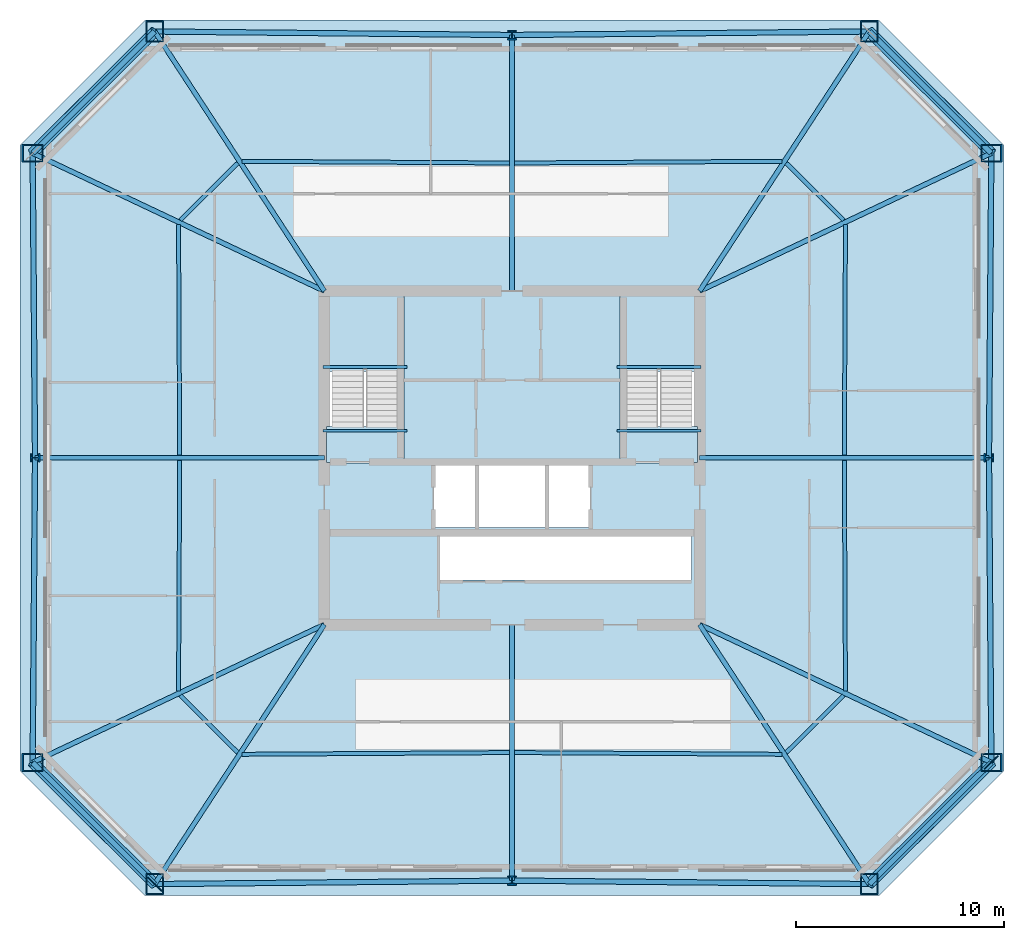
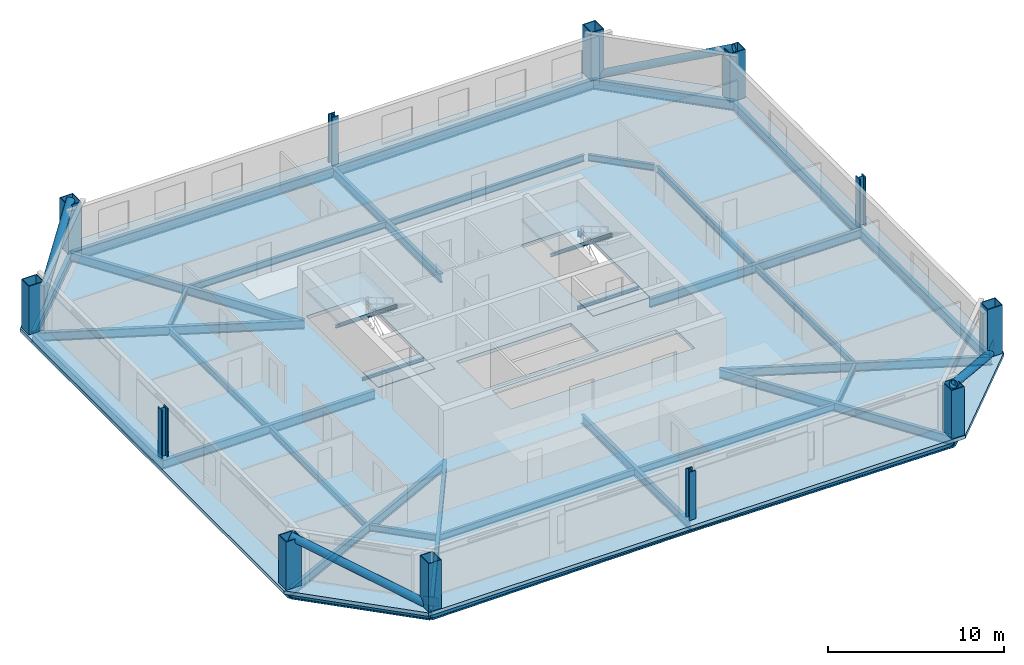
# One storey, part 1 of 6: 40 beams, 12 columns, 5 slabs, 4 members, 2 plates, 2 elements without a shape of their own.
"""IFC4 building model written with IfcOpenShell, lengths in metres."""

from ifc_helpers import new_model, si_unit, direction, frame, origin, origin_2d, place, context, subcontext, project, spatial, polyline, rectangle, hollow_rectangle, hollow_circle, i_section, outline, extrude, material, layer, layer_set, material_profile, profile_set, type_object, element, aggregate, save


model = new_model("IFC4")

# Units and contexts
model_context = context("Model", 3, precision=1e-05, world=origin(), true_north=direction((0.0, 1.0)))
body_context = subcontext(model_context, "Body", "Model", "MODEL_VIEW")
ifc_project = project(units=[si_unit("LENGTHUNIT", "METRE"), si_unit("AREAUNIT", "SQUARE_METRE"), si_unit("VOLUMEUNIT", "CUBIC_METRE"), si_unit("PLANEANGLEUNIT", "RADIAN"), si_unit("MASSUNIT", "GRAM", prefix="KILO")], contexts=[model_context])

# Site, building, storey
site_placement = place(None, origin())
site = spatial("IfcSite", under=ifc_project, at=site_placement, CompositionType="ELEMENT")
building_placement = place(site_placement, origin())
building = spatial("IfcBuilding", under=site, at=building_placement, Name="Caelvoria Tower", CompositionType="ELEMENT")
storey_placement = place(building_placement, frame((0.0, 0.0, 120.39990234375)))
storey = spatial("IfcBuildingStorey", under=building, at=storey_placement, Name="L31", CompositionType="ELEMENT", Elevation=120.39990234375)

# Columns
ifc_material_1 = material(Name="Structural Steel ASTM A572 Gr.50", Category="steel")
ifc_material_profile_1 = material_profile(ifc_material_1, hollow_rectangle(XDim=0.85009765625, YDim=1.0, WallThickness=0.050048828125, at=origin_2d()), Name="Structural Steel ASTM A572 Gr.50")
ifc_profile_set_1 = profile_set([ifc_material_profile_1], Name="BOX1000X850X50 - Structural Steel ASTM A572 Gr.50")
column_type_1 = type_object("IfcColumnType", Name="Mega Box Column 1000x850x50", PredefinedType="COLUMN", material=ifc_profile_set_1)
for number, where, z_axis, x_axis, name in (
    (1, (28.862548828125, 11.5517578125, 0.0), (0.0, 0.0, 1.0), (1.0, 0.0, 0.0), "Perimeter Megaframe Column L31-P00"),
    (2, (63.137451171875, 11.5517578125, 0.0), (0.0, 0.0, 1.0), (1.0, 0.0, 0.0), "Perimeter Megaframe Column L31-P02"),
    (3, (68.992431640625, 17.38623046875, 0.0), (0.0, 0.0, 1.0), (0.0, 1.0, 0.0), "Perimeter Megaframe Column L31-P03"),
    (4, (68.992431640625, 46.61376953125, 0.0), (0.0, 0.0, 1.0), (0.0, 1.0, 0.0), "Perimeter Megaframe Column L31-P05"),
    (5, (63.137451171875, 52.4482421875, 0.0), (0.0, 0.0, 1.0), (1.0, 0.0, 0.0), "Perimeter Megaframe Column L31-P06"),
    (6, (28.862548828125, 52.4482421875, 0.0), (0.0, 0.0, 1.0), (1.0, 0.0, 0.0), "Perimeter Megaframe Column L31-P08"),
    (7, (23.007568359375, 46.61376953125, 0.0), (0.0, 0.0, 1.0), (0.0, 1.0, 0.0), "Perimeter Megaframe Column L31-P09"),
    (8, (23.007568359375, 17.38623046875, 0.0), (0.0, 0.0, 1.0), (0.0, 1.0, 0.0), "Perimeter Megaframe Column L31-P11"),
):
    element("IfcColumn", number, at=place(storey_placement, frame(where, z_axis=z_axis, x_axis=x_axis)), inside=storey, type_object=column_type_1, Name=name, PredefinedType="COLUMN", context=body_context, shape_type="SweptSolid", body=[
        extrude(hollow_rectangle(XDim=0.85009765625, YDim=1.0, WallThickness=0.050048828125, at=origin_2d()), origin(), (0.0, 0.0, 1.0), 3.358154296875),
    ])
ifc_material_2 = material(Name="Structural Steel ASTM A913 Gr.65", Category="steel")
ifc_material_profile_2 = material_profile(ifc_material_2, i_section(OverallWidth=0.41796875, OverallDepth=0.455078125, WebThickness=0.0419921875, FlangeThickness=0.067626953125, FilletRadius=0.02490234375, at=origin_2d()), Name="Structural Steel ASTM A913 Gr.65")
ifc_profile_set_2 = profile_set([ifc_material_profile_2], Name="W360X551 - Structural Steel ASTM A913 Gr.65")
column_type_2 = type_object("IfcColumnType", Name="Mid Frame Column W360X551", PredefinedType="COLUMN", material=ifc_profile_set_2)
for number, where, z_axis, x_axis, name in (
    (9, (46.0, 11.719970703125, 0.0), (0.0, 0.0, 1.0), (1.0, 0.0, 0.0), "Perimeter Megaframe Column L31-P01"),
    (10, (68.8798828125, 32.0, 0.0), (0.0, 0.0, 1.0), (0.0, 1.0, 0.0), "Perimeter Megaframe Column L31-P04"),
    (11, (46.0, 52.280029296875, 0.0), (0.0, 0.0, 1.0), (1.0, 0.0, 0.0), "Perimeter Megaframe Column L31-P07"),
    (12, (23.1201171875, 32.0, 0.0), (0.0, 0.0, 1.0), (0.0, 1.0, 0.0), "Perimeter Megaframe Column L31-P10"),
):
    element("IfcColumn", number, at=place(storey_placement, frame(where, z_axis=z_axis, x_axis=x_axis)), inside=storey, type_object=column_type_2, Name=name, PredefinedType="COLUMN", context=body_context, shape_type="SweptSolid", body=[
        extrude(i_section(OverallWidth=0.41796875, OverallDepth=0.455078125, WebThickness=0.0419921875, FlangeThickness=0.067626953125, FilletRadius=0.02490234375, at=origin_2d()), origin(), (0.0, 0.0, 1.0), 3.358154296875),
    ])

# Beams
ifc_material_3 = material(Name="Structural Steel ASTM A992 Gr.50", Category="steel")
ifc_material_profile_3 = material_profile(ifc_material_3, i_section(OverallWidth=0.134033203125, OverallDepth=0.2099609375, WebThickness=0.00634765625, FlangeThickness=0.01025390625, FilletRadius=0.010009765625, at=origin_2d()), Name="Structural Steel ASTM A992 Gr.50")
ifc_profile_set_3 = profile_set([ifc_material_profile_3], Name="W200X31.3 - Structural Steel ASTM A992 Gr.50")
beam_type_1 = type_object("IfcBeamType", Name="Canopy Edge Trim Beam W200X31.3", PredefinedType="BEAM", material=ifc_profile_set_3)
for number, where, z_axis, x_axis, name in (
    (13, (36.929931640625, 36.35009765625, 1.4951171875), (1.0, 0.0, 0.0), (0.0, 1.0, 0.0), "ST-01 Half-Landing Support Beam L31"),
    (14, (36.929931640625, 33.300048828125, -0.304931640625), (1.0, 0.0, 0.0), (0.0, 1.0, 0.0), "ST-01 Floor-Landing Support Beam L31"),
    (15, (51.030029296875, 36.35009765625, 1.4951171875), (1.0, 0.0, 0.0), (0.0, 1.0, 0.0), "ST-02 Half-Landing Support Beam L31"),
    (16, (51.030029296875, 33.300048828125, -0.304931640625), (1.0, 0.0, 0.0), (0.0, 1.0, 0.0), "ST-02 Floor-Landing Support Beam L31"),
):
    element("IfcBeam", number, at=place(storey_placement, frame(where, z_axis=z_axis, x_axis=x_axis)), inside=storey, type_object=beam_type_1, Name=name, PredefinedType="BEAM", context=body_context, shape_type="SweptSolid", body=[
        extrude(i_section(OverallWidth=0.134033203125, OverallDepth=0.2099609375, WebThickness=0.00634765625, FlangeThickness=0.01025390625, FilletRadius=0.010009765625, at=origin_2d()), origin(), (0.0, 0.0, 1.0), 4.0400390625),
    ])

# Members
ifc_material_profile_4 = material_profile(ifc_material_1, hollow_circle(Radius=0.25390625, WallThickness=0.02001953125, at=origin_2d()), Name="Structural Steel ASTM A572 Gr.50")
ifc_profile_set_4 = profile_set([ifc_material_profile_4], Name="CHS508X20 - Structural Steel ASTM A572 Gr.50")
member_type = type_object("IfcMemberType", Name="Mid Perimeter Mega Brace CHS508X20", PredefinedType="BRACE", material=ifc_profile_set_4)
for number, where, z_axis, x_axis, name in (
    (17, (68.992431640625, 17.38623046875, 0.0), (-0.656199155358, -0.653900734498, 0.376585312951), (0.705865156694, -0.708346229301, 0.0), "Perimeter Chamfer Mega Brace L31 SE"),
    (18, (63.137451171875, 52.4482421875, 0.0), (0.656199155358, -0.653900734498, 0.376585312951), (0.705865156694, 0.708346229301, 0.0), "Perimeter Chamfer Mega Brace L31 NE"),
    (19, (23.007568359375, 46.61376953125, 0.0), (0.656199155358, 0.653900734498, 0.376585312951), (-0.705865156694, 0.708346229301, 0.0), "Perimeter Chamfer Mega Brace L31 NW"),
    (20, (28.862548828125, 11.5517578125, 0.0), (-0.656199155358, 0.653900734498, 0.376585312951), (-0.705865156694, -0.708346229301, 0.0), "Perimeter Chamfer Mega Brace L31 SW"),
):
    element("IfcMember", number, at=place(storey_placement, frame(where, z_axis=z_axis, x_axis=x_axis)), inside=storey, type_object=member_type, Name=name, PredefinedType="BRACE", context=body_context, shape_type="SweptSolid", body=[
        extrude(hollow_circle(Radius=0.25390625, WallThickness=0.02001953125, at=origin_2d()), origin(), (0.0, 0.0, 1.0), 8.922607421875),
    ])

# Beams
ifc_material_profile_5 = material_profile(ifc_material_3, i_section(OverallWidth=0.25390625, OverallDepth=0.68798828125, WebThickness=0.01318359375, FlangeThickness=0.02099609375, FilletRadius=0.01904296875, at=origin_2d()), Name="Structural Steel ASTM A992 Gr.50")
ifc_profile_set_5 = profile_set([ifc_material_profile_5], Name="W690X152 - Structural Steel ASTM A992 Gr.50")
beam_type_2 = type_object("IfcBeamType", Name="Perimeter Spandrel Girder W690X152", PredefinedType="BEAM", material=ifc_profile_set_5)
for number, where, z_axis, x_axis, name in (
    (21, (28.862548828125, 11.5517578125, -0.583984375), (0.999951831324, 0.009815041125, 0.0), (-0.009815041125, 0.999951831324, 0.0), "Perimeter Spandrel Girder L31-00"),
    (22, (46.0, 11.719970703125, -0.583984375), (0.999951831324, -0.009815041125, 0.0), (0.009815041125, 0.999951831324, 0.0), "Perimeter Spandrel Girder L31-01"),
):
    element("IfcBeam", number, at=place(storey_placement, frame(where, z_axis=z_axis, x_axis=x_axis)), inside=storey, type_object=beam_type_2, Name=name, PredefinedType="BEAM", context=body_context, shape_type="SweptSolid", body=[
        extrude(i_section(OverallWidth=0.25390625, OverallDepth=0.68798828125, WebThickness=0.01318359375, FlangeThickness=0.02099609375, FilletRadius=0.01904296875, at=origin_2d()), origin(), (0.0, 0.0, 1.0), 17.13818359375),
    ])
beam_1_placement = place(storey_placement, frame((63.137451171875, 11.5517578125, -0.583984375), z_axis=(0.708346229301, 0.705865156694, 0.0), x_axis=(-0.705865156694, 0.708346229301, 0.0)))
element("IfcBeam", 23, at=beam_1_placement, inside=storey, type_object=beam_type_2, Name="Perimeter Spandrel Girder L31-02", PredefinedType="BEAM", context=body_context, shape_type="SweptSolid", body=[
    extrude(i_section(OverallWidth=0.25390625, OverallDepth=0.68798828125, WebThickness=0.01318359375, FlangeThickness=0.02099609375, FilletRadius=0.01904296875, at=origin_2d()), origin(), (0.0, 0.0, 1.0), 8.265625),
])
for number, where, z_axis, x_axis, name in (
    (24, (68.992431640625, 17.38623046875, -0.583984375), (-0.007701331964, 0.999970344303, 0.0), (-0.999970344303, -0.007701331964, 0.0), "Perimeter Spandrel Girder L31-03"),
    (25, (68.8798828125, 32.0, -0.583984375), (0.007701331964, 0.999970344303, 0.0), (-0.999970344303, 0.007701331964, 0.0), "Perimeter Spandrel Girder L31-04"),
):
    element("IfcBeam", number, at=place(storey_placement, frame(where, z_axis=z_axis, x_axis=x_axis)), inside=storey, type_object=beam_type_2, Name=name, PredefinedType="BEAM", context=body_context, shape_type="SweptSolid", body=[
        extrude(i_section(OverallWidth=0.25390625, OverallDepth=0.68798828125, WebThickness=0.01318359375, FlangeThickness=0.02099609375, FilletRadius=0.01904296875, at=origin_2d()), origin(), (0.0, 0.0, 1.0), 14.6142578125),
    ])
beam_2_placement = place(storey_placement, frame((68.992431640625, 46.61376953125, -0.583984375), z_axis=(-0.708346229301, 0.705865156694, 0.0), x_axis=(-0.705865156694, -0.708346229301, 0.0)))
element("IfcBeam", 26, at=beam_2_placement, inside=storey, type_object=beam_type_2, Name="Perimeter Spandrel Girder L31-05", PredefinedType="BEAM", context=body_context, shape_type="SweptSolid", body=[
    extrude(i_section(OverallWidth=0.25390625, OverallDepth=0.68798828125, WebThickness=0.01318359375, FlangeThickness=0.02099609375, FilletRadius=0.01904296875, at=origin_2d()), origin(), (0.0, 0.0, 1.0), 8.265625),
])
for number, where, z_axis, x_axis, name in (
    (27, (63.137451171875, 52.4482421875, -0.583984375), (-0.999951831324, -0.009815041125, 0.0), (0.009815041125, -0.999951831324, 0.0), "Perimeter Spandrel Girder L31-06"),
    (28, (46.0, 52.280029296875, -0.583984375), (-0.999951831324, 0.009815041125, 0.0), (-0.009815041125, -0.999951831324, 0.0), "Perimeter Spandrel Girder L31-07"),
):
    element("IfcBeam", number, at=place(storey_placement, frame(where, z_axis=z_axis, x_axis=x_axis)), inside=storey, type_object=beam_type_2, Name=name, PredefinedType="BEAM", context=body_context, shape_type="SweptSolid", body=[
        extrude(i_section(OverallWidth=0.25390625, OverallDepth=0.68798828125, WebThickness=0.01318359375, FlangeThickness=0.02099609375, FilletRadius=0.01904296875, at=origin_2d()), origin(), (0.0, 0.0, 1.0), 17.13818359375),
    ])
beam_3_placement = place(storey_placement, frame((28.862548828125, 52.4482421875, -0.583984375), z_axis=(-0.708346229301, -0.705865156694, 0.0), x_axis=(0.705865156694, -0.708346229301, 0.0)))
element("IfcBeam", 29, at=beam_3_placement, inside=storey, type_object=beam_type_2, Name="Perimeter Spandrel Girder L31-08", PredefinedType="BEAM", context=body_context, shape_type="SweptSolid", body=[
    extrude(i_section(OverallWidth=0.25390625, OverallDepth=0.68798828125, WebThickness=0.01318359375, FlangeThickness=0.02099609375, FilletRadius=0.01904296875, at=origin_2d()), origin(), (0.0, 0.0, 1.0), 8.265625),
])
for number, where, z_axis, x_axis, name in (
    (30, (23.007568359375, 46.61376953125, -0.583984375), (0.007701331964, -0.999970344303, 0.0), (0.999970344303, 0.007701331964, 0.0), "Perimeter Spandrel Girder L31-09"),
    (31, (23.1201171875, 32.0, -0.583984375), (-0.007701331964, -0.999970344303, 0.0), (0.999970344303, -0.007701331964, 0.0), "Perimeter Spandrel Girder L31-10"),
):
    element("IfcBeam", number, at=place(storey_placement, frame(where, z_axis=z_axis, x_axis=x_axis)), inside=storey, type_object=beam_type_2, Name=name, PredefinedType="BEAM", context=body_context, shape_type="SweptSolid", body=[
        extrude(i_section(OverallWidth=0.25390625, OverallDepth=0.68798828125, WebThickness=0.01318359375, FlangeThickness=0.02099609375, FilletRadius=0.01904296875, at=origin_2d()), origin(), (0.0, 0.0, 1.0), 14.6142578125),
    ])
beam_4_placement = place(storey_placement, frame((23.007568359375, 17.38623046875, -0.583984375), z_axis=(0.708346229301, -0.705865156694, 0.0), x_axis=(0.705865156694, 0.708346229301, 0.0)))
element("IfcBeam", 32, at=beam_4_placement, inside=storey, type_object=beam_type_2, Name="Perimeter Spandrel Girder L31-11", PredefinedType="BEAM", context=body_context, shape_type="SweptSolid", body=[
    extrude(i_section(OverallWidth=0.25390625, OverallDepth=0.68798828125, WebThickness=0.01318359375, FlangeThickness=0.02099609375, FilletRadius=0.01904296875, at=origin_2d()), origin(), (0.0, 0.0, 1.0), 8.265625),
])
ifc_material_profile_6 = material_profile(ifc_material_3, i_section(OverallWidth=0.22900390625, OverallDepth=0.612060546875, WebThickness=0.011962890625, FlangeThickness=0.01953125, FilletRadius=0.01806640625, at=origin_2d()), Name="Structural Steel ASTM A992 Gr.50")
ifc_profile_set_6 = profile_set([ifc_material_profile_6], Name="W610X125 - Structural Steel ASTM A992 Gr.50")
beam_type_3 = type_object("IfcBeamType", Name="Primary Radial Floor Girder W610X125", PredefinedType="BEAM", material=ifc_profile_set_6)
beam_5_placement = place(storey_placement, frame((37.0, 24.0, -0.5458984375), z_axis=(-0.547165323356, -0.837024556938, 0.0), x_axis=(0.837024556938, -0.547165323356, 0.0)))
element("IfcBeam", 33, at=beam_5_placement, inside=storey, type_object=beam_type_3, Name="Primary Floor Girder L31-00", PredefinedType="BEAM", context=body_context, shape_type="SweptSolid", body=[
    extrude(i_section(OverallWidth=0.22900390625, OverallDepth=0.612060546875, WebThickness=0.011962890625, FlangeThickness=0.01953125, FilletRadius=0.01806640625, at=origin_2d()), origin(), (0.0, 0.0, 1.0), 14.8720703125),
])
beam_6_placement = place(storey_placement, frame((46.0, 24.0, -0.5458984375), z_axis=(0.0, -1.0, 0.0), x_axis=(1.0, 0.0, 0.0)))
element("IfcBeam", 34, at=beam_6_placement, inside=storey, type_object=beam_type_3, Name="Primary Floor Girder L31-01", PredefinedType="BEAM", context=body_context, shape_type="SweptSolid", body=[
    extrude(i_section(OverallWidth=0.22900390625, OverallDepth=0.612060546875, WebThickness=0.011962890625, FlangeThickness=0.01953125, FilletRadius=0.01806640625, at=origin_2d()), origin(), (0.0, 0.0, 1.0), 12.280029296875),
])
beam_7_placement = place(storey_placement, frame((55.0, 24.0, -0.5458984375), z_axis=(0.547165323356, -0.837024556938, 0.0), x_axis=(0.837024556938, 0.547165323356, 0.0)))
element("IfcBeam", 35, at=beam_7_placement, inside=storey, type_object=beam_type_3, Name="Primary Floor Girder L31-02", PredefinedType="BEAM", context=body_context, shape_type="SweptSolid", body=[
    extrude(i_section(OverallWidth=0.22900390625, OverallDepth=0.612060546875, WebThickness=0.011962890625, FlangeThickness=0.01953125, FilletRadius=0.01806640625, at=origin_2d()), origin(), (0.0, 0.0, 1.0), 14.8720703125),
])
beam_8_placement = place(storey_placement, frame((55.0, 24.0, -0.5458984375), z_axis=(0.904093099405, -0.427335544517, 0.0), x_axis=(0.427335544517, 0.904093099405, 0.0)))
element("IfcBeam", 36, at=beam_8_placement, inside=storey, type_object=beam_type_3, Name="Primary Floor Girder L31-03", PredefinedType="BEAM", context=body_context, shape_type="SweptSolid", body=[
    extrude(i_section(OverallWidth=0.22900390625, OverallDepth=0.612060546875, WebThickness=0.011962890625, FlangeThickness=0.01953125, FilletRadius=0.01806640625, at=origin_2d()), origin(), (0.0, 0.0, 1.0), 15.476806640625),
])
beam_9_placement = place(storey_placement, frame((55.0, 32.0, -0.5458984375), z_axis=(1.0, 0.0, 0.0), x_axis=(0.0, 1.0, 0.0)))
element("IfcBeam", 37, at=beam_9_placement, inside=storey, type_object=beam_type_3, Name="Primary Floor Girder L31-04", PredefinedType="BEAM", context=body_context, shape_type="SweptSolid", body=[
    extrude(i_section(OverallWidth=0.22900390625, OverallDepth=0.612060546875, WebThickness=0.011962890625, FlangeThickness=0.01953125, FilletRadius=0.01806640625, at=origin_2d()), origin(), (0.0, 0.0, 1.0), 13.8798828125),
])
beam_10_placement = place(storey_placement, frame((55.0, 40.0, -0.5458984375), z_axis=(0.904093099405, 0.427335544517, 0.0), x_axis=(-0.427335544517, 0.904093099405, 0.0)))
element("IfcBeam", 38, at=beam_10_placement, inside=storey, type_object=beam_type_3, Name="Primary Floor Girder L31-05", PredefinedType="BEAM", context=body_context, shape_type="SweptSolid", body=[
    extrude(i_section(OverallWidth=0.22900390625, OverallDepth=0.612060546875, WebThickness=0.011962890625, FlangeThickness=0.01953125, FilletRadius=0.01806640625, at=origin_2d()), origin(), (0.0, 0.0, 1.0), 15.476806640625),
])
beam_11_placement = place(storey_placement, frame((55.0, 40.0, -0.5458984375), z_axis=(0.547165323356, 0.837024556938, 0.0), x_axis=(-0.837024556938, 0.547165323356, 0.0)))
element("IfcBeam", 39, at=beam_11_placement, inside=storey, type_object=beam_type_3, Name="Primary Floor Girder L31-06", PredefinedType="BEAM", context=body_context, shape_type="SweptSolid", body=[
    extrude(i_section(OverallWidth=0.22900390625, OverallDepth=0.612060546875, WebThickness=0.011962890625, FlangeThickness=0.01953125, FilletRadius=0.01806640625, at=origin_2d()), origin(), (0.0, 0.0, 1.0), 14.8720703125),
])
beam_12_placement = place(storey_placement, frame((46.0, 40.0, -0.5458984375), z_axis=(0.0, 1.0, 0.0), x_axis=(-1.0, 0.0, 0.0)))
element("IfcBeam", 40, at=beam_12_placement, inside=storey, type_object=beam_type_3, Name="Primary Floor Girder L31-07", PredefinedType="BEAM", context=body_context, shape_type="SweptSolid", body=[
    extrude(i_section(OverallWidth=0.22900390625, OverallDepth=0.612060546875, WebThickness=0.011962890625, FlangeThickness=0.01953125, FilletRadius=0.01806640625, at=origin_2d()), origin(), (0.0, 0.0, 1.0), 12.280029296875),
])
beam_13_placement = place(storey_placement, frame((37.0, 40.0, -0.5458984375), z_axis=(-0.547165323356, 0.837024556938, 0.0), x_axis=(-0.837024556938, -0.547165323356, 0.0)))
element("IfcBeam", 41, at=beam_13_placement, inside=storey, type_object=beam_type_3, Name="Primary Floor Girder L31-08", PredefinedType="BEAM", context=body_context, shape_type="SweptSolid", body=[
    extrude(i_section(OverallWidth=0.22900390625, OverallDepth=0.612060546875, WebThickness=0.011962890625, FlangeThickness=0.01953125, FilletRadius=0.01806640625, at=origin_2d()), origin(), (0.0, 0.0, 1.0), 14.8720703125),
])
beam_14_placement = place(storey_placement, frame((37.0, 40.0, -0.5458984375), z_axis=(-0.904093099405, 0.427335544517, 0.0), x_axis=(-0.427335544517, -0.904093099405, 0.0)))
element("IfcBeam", 42, at=beam_14_placement, inside=storey, type_object=beam_type_3, Name="Primary Floor Girder L31-09", PredefinedType="BEAM", context=body_context, shape_type="SweptSolid", body=[
    extrude(i_section(OverallWidth=0.22900390625, OverallDepth=0.612060546875, WebThickness=0.011962890625, FlangeThickness=0.01953125, FilletRadius=0.01806640625, at=origin_2d()), origin(), (0.0, 0.0, 1.0), 15.476806640625),
])
beam_15_placement = place(storey_placement, frame((37.0, 32.0, -0.5458984375), z_axis=(-1.0, 0.0, 0.0), x_axis=(0.0, -1.0, 0.0)))
element("IfcBeam", 43, at=beam_15_placement, inside=storey, type_object=beam_type_3, Name="Primary Floor Girder L31-10", PredefinedType="BEAM", context=body_context, shape_type="SweptSolid", body=[
    extrude(i_section(OverallWidth=0.22900390625, OverallDepth=0.612060546875, WebThickness=0.011962890625, FlangeThickness=0.01953125, FilletRadius=0.01806640625, at=origin_2d()), origin(), (0.0, 0.0, 1.0), 13.8798828125),
])
beam_16_placement = place(storey_placement, frame((37.0, 24.0, -0.5458984375), z_axis=(-0.904093099405, -0.427335544517, 0.0), x_axis=(0.427335544517, -0.904093099405, 0.0)))
element("IfcBeam", 44, at=beam_16_placement, inside=storey, type_object=beam_type_3, Name="Primary Floor Girder L31-11", PredefinedType="BEAM", context=body_context, shape_type="SweptSolid", body=[
    extrude(i_section(OverallWidth=0.22900390625, OverallDepth=0.612060546875, WebThickness=0.011962890625, FlangeThickness=0.01953125, FilletRadius=0.01806640625, at=origin_2d()), origin(), (0.0, 0.0, 1.0), 15.476806640625),
])
ifc_material_profile_7 = material_profile(ifc_material_3, i_section(OverallWidth=0.18994140625, OverallDepth=0.45703125, WebThickness=0.009033203125, FlangeThickness=0.014404296875, FilletRadius=0.014892578125, at=origin_2d()), Name="Structural Steel ASTM A992 Gr.50")
ifc_profile_set_7 = profile_set([ifc_material_profile_7], Name="W460X74 - Structural Steel ASTM A992 Gr.50")
beam_type_4 = type_object("IfcBeamType", Name="Secondary Floor Beam W460X74", PredefinedType="BEAM", material=ifc_profile_set_7)
for number, where, z_axis, x_axis, name in (
    (45, (33.05615234375, 17.776611328125, -0.468505859375), (0.999979280845, 0.006437226163, 0.0), (-0.006437226163, 0.999979280845, 0.0), "Secondary Floor Beam L31-00"),
    (46, (46.125, 17.859130859375, -0.468505859375), (0.999979280845, -0.006437226163, 0.0), (0.006437226163, 0.999979280845, 0.0), "Secondary Floor Beam L31-01"),
):
    element("IfcBeam", number, at=place(storey_placement, frame(where, z_axis=z_axis, x_axis=x_axis)), inside=storey, type_object=beam_type_4, Name=name, PredefinedType="BEAM", context=body_context, shape_type="SweptSolid", body=[
        extrude(i_section(OverallWidth=0.18994140625, OverallDepth=0.45703125, WebThickness=0.009033203125, FlangeThickness=0.014404296875, FilletRadius=0.014892578125, at=origin_2d()), origin(), (0.0, 0.0, 1.0), 12.819091796875),
    ])
beam_17_placement = place(storey_placement, frame((59.1572265625, 17.864013671875, -0.468505859375), z_axis=(0.70833174964, 0.705879686952, 0.0), x_axis=(-0.705879686952, 0.70833174964, 0.0)))
element("IfcBeam", 47, at=beam_17_placement, inside=storey, type_object=beam_type_4, Name="Secondary Floor Beam L31-02", PredefinedType="BEAM", context=body_context, shape_type="SweptSolid", body=[
    extrude(i_section(OverallWidth=0.18994140625, OverallDepth=0.45703125, WebThickness=0.009033203125, FlangeThickness=0.014404296875, FilletRadius=0.014892578125, at=origin_2d()), origin(), (0.0, 0.0, 1.0), 3.883056640625),
])
for number, where, z_axis, x_axis, name in (
    (48, (61.99560546875, 20.818115234375, -0.468505859375), (-0.004968032488, 0.99998765925, 0.0), (-0.99998765925, -0.004968032488, 0.0), "Secondary Floor Beam L31-03"),
    (49, (61.940673828125, 32.125, -0.468505859375), (0.004968032488, 0.99998765925, 0.0), (-0.99998765925, 0.004968032488, 0.0), "Secondary Floor Beam L31-04"),
):
    element("IfcBeam", number, at=place(storey_placement, frame(where, z_axis=z_axis, x_axis=x_axis)), inside=storey, type_object=beam_type_4, Name=name, PredefinedType="BEAM", context=body_context, shape_type="SweptSolid", body=[
        extrude(i_section(OverallWidth=0.18994140625, OverallDepth=0.45703125, WebThickness=0.009033203125, FlangeThickness=0.014404296875, FilletRadius=0.014892578125, at=origin_2d()), origin(), (0.0, 0.0, 1.0), 11.05712890625),
    ])
beam_18_placement = place(storey_placement, frame((61.90771484375, 43.39501953125, -0.468505859375), z_axis=(-0.70833174964, 0.705879686952, 0.0), x_axis=(-0.705879686952, -0.70833174964, 0.0)))
element("IfcBeam", 50, at=beam_18_placement, inside=storey, type_object=beam_type_4, Name="Secondary Floor Beam L31-05", PredefinedType="BEAM", context=body_context, shape_type="SweptSolid", body=[
    extrude(i_section(OverallWidth=0.18994140625, OverallDepth=0.45703125, WebThickness=0.009033203125, FlangeThickness=0.014404296875, FilletRadius=0.014892578125, at=origin_2d()), origin(), (0.0, 0.0, 1.0), 3.883056640625),
])
for number, where, z_axis, x_axis, name in (
    (51, (58.94384765625, 46.223388671875, -0.468505859375), (-0.999979280845, -0.006437226163, 0.0), (0.006437226163, -0.999979280845, 0.0), "Secondary Floor Beam L31-06"),
    (52, (45.875, 46.140869140625, -0.468505859375), (-0.999979280845, 0.006437226163, 0.0), (-0.006437226163, -0.999979280845, 0.0), "Secondary Floor Beam L31-07"),
):
    element("IfcBeam", number, at=place(storey_placement, frame(where, z_axis=z_axis, x_axis=x_axis)), inside=storey, type_object=beam_type_4, Name=name, PredefinedType="BEAM", context=body_context, shape_type="SweptSolid", body=[
        extrude(i_section(OverallWidth=0.18994140625, OverallDepth=0.45703125, WebThickness=0.009033203125, FlangeThickness=0.014404296875, FilletRadius=0.014892578125, at=origin_2d()), origin(), (0.0, 0.0, 1.0), 12.819091796875),
    ])
beam_19_placement = place(storey_placement, frame((32.8427734375, 46.135986328125, -0.468505859375), z_axis=(-0.70833174964, -0.705879686952, 0.0), x_axis=(0.705879686952, -0.70833174964, 0.0)))
element("IfcBeam", 53, at=beam_19_placement, inside=storey, type_object=beam_type_4, Name="Secondary Floor Beam L31-08", PredefinedType="BEAM", context=body_context, shape_type="SweptSolid", body=[
    extrude(i_section(OverallWidth=0.18994140625, OverallDepth=0.45703125, WebThickness=0.009033203125, FlangeThickness=0.014404296875, FilletRadius=0.014892578125, at=origin_2d()), origin(), (0.0, 0.0, 1.0), 3.883056640625),
])
for number, where, z_axis, x_axis, name in (
    (54, (30.00439453125, 43.181884765625, -0.468505859375), (0.004968032488, -0.99998765925, 0.0), (0.99998765925, 0.004968032488, 0.0), "Secondary Floor Beam L31-09"),
    (55, (30.059326171875, 31.875, -0.468505859375), (-0.004968032488, -0.99998765925, 0.0), (0.99998765925, -0.004968032488, 0.0), "Secondary Floor Beam L31-10"),
):
    element("IfcBeam", number, at=place(storey_placement, frame(where, z_axis=z_axis, x_axis=x_axis)), inside=storey, type_object=beam_type_4, Name=name, PredefinedType="BEAM", context=body_context, shape_type="SweptSolid", body=[
        extrude(i_section(OverallWidth=0.18994140625, OverallDepth=0.45703125, WebThickness=0.009033203125, FlangeThickness=0.014404296875, FilletRadius=0.014892578125, at=origin_2d()), origin(), (0.0, 0.0, 1.0), 11.05712890625),
    ])
beam_20_placement = place(storey_placement, frame((30.09228515625, 20.60498046875, -0.468505859375), z_axis=(0.70833174964, -0.705879686952, 0.0), x_axis=(0.705879686952, 0.70833174964, 0.0)))
element("IfcBeam", 56, at=beam_20_placement, inside=storey, type_object=beam_type_4, Name="Secondary Floor Beam L31-11", PredefinedType="BEAM", context=body_context, shape_type="SweptSolid", body=[
    extrude(i_section(OverallWidth=0.18994140625, OverallDepth=0.45703125, WebThickness=0.009033203125, FlangeThickness=0.014404296875, FilletRadius=0.014892578125, at=origin_2d()), origin(), (0.0, 0.0, 1.0), 3.883056640625),
])

# Plates
ifc_layer_1 = layer(ifc_material_1, 0.0400390625, Name="Structural Steel ASTM A572 Gr.50")
ifc_layer_set_1 = layer_set([ifc_layer_1], Name="Megaframe Node Gusset Plate 900x600x40 - Structural Steel ASTM A572 Gr.50")
plate_type = type_object("IfcPlateType", Name="Megaframe Node Gusset Plate 900x600x40", PredefinedType="USERDEFINED", material=ifc_layer_set_1)
for number, where, z_axis, x_axis, name in (
    (57, (68.992431640625, 17.38623046875, 0.02001953125), (0.0, 0.0, 1.0), (-0.708345997589, -0.705865389221, 0.0), "Chamfer Mega Brace Gusset L31 SE"),
    (58, (28.862548828125, 11.5517578125, 0.02001953125), (0.0, 0.0, 1.0), (-0.708345997589, 0.705865389221, 0.0), "Chamfer Mega Brace Gusset L31 SW"),
):
    element("IfcPlate", number, at=place(storey_placement, frame(where, z_axis=z_axis, x_axis=x_axis)), inside=storey, type_object=plate_type, Name=name, ObjectType="GUSSET_PLATE", PredefinedType="USERDEFINED", context=body_context, shape_type="SweptSolid", body=[
        extrude(rectangle(XDim=0.89990234375, YDim=0.0400390625, at=origin_2d()), origin(), (0.0, 0.0, 1.0), 0.60009765625),
    ])

# Stair, slabs
ifc_material_4 = material(Name="Concrete C40/50", Category="concrete")
stair_type = type_object("IfcStairType", Name="Core Smokeproof Dogleg Stair Concrete C40/50", PredefinedType="HALF_TURN_STAIR", material=ifc_material_4)
stair_1_placement = place(storey_placement, origin())
stair_1 = element("IfcStair", 59, at=stair_1_placement, inside=storey, type_object=stair_type, Name="ST-01 Smokeproof Exit Stair L31", PredefinedType="HALF_TURN_STAIR")
ifc_layer_2 = layer(ifc_material_4, 0.199951171875, Name="Concrete C40/50")
ifc_layer_set_2 = layer_set([ifc_layer_2], Name="Stair Half and Floor Landing Slab 200 Concrete C40/50 - Concrete C40/50")
slab_type_1 = type_object("IfcSlabType", Name="Stair Half and Floor Landing Slab 200 Concrete C40/50", PredefinedType="LANDING", material=ifc_layer_set_2)
slab_1_placement = place(storey_placement, frame((0.0, 0.0, -0.199951171875)))
slab_1 = element("IfcSlab", 60, at=slab_1_placement, type_object=slab_type_1, Name="ST-01 landing 1", PredefinedType="LANDING", context=body_context, shape_type="SweptSolid", body=[
    extrude(outline(polyline([(37.10009765625, 31.77001953125), (40.800048828125, 31.77001953125), (40.800048828125, 33.5), (37.10009765625, 33.5), (37.10009765625, 31.77001953125)])), origin(), (0.0, 0.0, 1.0), 0.199951171875),
])
slab_2_placement = place(storey_placement, frame((0.0, 0.0, 1.60009765625)))
slab_2 = element("IfcSlab", 61, at=slab_2_placement, type_object=slab_type_1, Name="ST-01 landing 2", PredefinedType="LANDING", context=body_context, shape_type="SweptSolid", body=[
    extrude(outline(polyline([(37.10009765625, 36.14990234375), (40.800048828125, 36.14990234375), (40.800048828125, 39.89990234375), (37.10009765625, 39.89990234375), (37.10009765625, 36.14990234375)])), origin(), (0.0, 0.0, 1.0), 0.199951171875),
])
aggregate(stair_1, [slab_1, slab_2])

stair_2_placement = place(storey_placement, origin())
stair_2 = element("IfcStair", 62, at=stair_2_placement, inside=storey, type_object=stair_type, Name="ST-02 Smokeproof Exit Stair L31", PredefinedType="HALF_TURN_STAIR")
slab_3_placement = place(storey_placement, frame((0.0, 0.0, -0.199951171875)))
slab_3 = element("IfcSlab", 63, at=slab_3_placement, type_object=slab_type_1, Name="ST-02 landing 1", PredefinedType="LANDING", context=body_context, shape_type="SweptSolid", body=[
    extrude(outline(polyline([(51.199951171875, 31.77001953125), (54.89990234375, 31.77001953125), (54.89990234375, 33.5), (51.199951171875, 33.5), (51.199951171875, 31.77001953125)])), origin(), (0.0, 0.0, 1.0), 0.199951171875),
])
slab_4_placement = place(storey_placement, frame((0.0, 0.0, 1.60009765625)))
slab_4 = element("IfcSlab", 64, at=slab_4_placement, type_object=slab_type_1, Name="ST-02 landing 2", PredefinedType="LANDING", context=body_context, shape_type="SweptSolid", body=[
    extrude(outline(polyline([(51.199951171875, 36.14990234375), (54.89990234375, 36.14990234375), (54.89990234375, 39.89990234375), (51.199951171875, 39.89990234375), (51.199951171875, 36.14990234375)])), origin(), (0.0, 0.0, 1.0), 0.199951171875),
])
aggregate(stair_2, [slab_3, slab_4])

# Slab
ifc_layer_3 = layer(ifc_material_4, 0.239990234375, Name="Concrete C40/50")
ifc_layer_set_3 = layer_set([ifc_layer_3], Name="Tower Composite Office Slab 240 - Concrete C40/50")
slab_type_2 = type_object("IfcSlabType", Name="Tower Composite Office Slab 240", PredefinedType="FLOOR", material=ifc_layer_set_3)
slab_5_placement = place(storey_placement, frame((0.0, 0.0, -0.239990234375)))
element("IfcSlab", 65, at=slab_5_placement, inside=storey, type_object=slab_type_2, Name="Level L31 Structural Floor Slab", PredefinedType="FLOOR", context=body_context, shape_type="SweptSolid", body=[
    extrude(outline(polyline([(28.39990234375, 11.0), (63.60009765625, 11.0), (69.60009765625, 17.0), (69.60009765625, 47.0), (63.60009765625, 53.0), (28.39990234375, 53.0), (22.39990234375, 47.0), (22.39990234375, 17.0), (28.39990234375, 11.0)]), holes=[polyline([(37.080078125, 31.75), (40.820068359375, 31.75), (40.820068359375, 39.919921875), (37.080078125, 39.919921875), (37.080078125, 31.75)]), polyline([(51.179931640625, 31.75), (54.919921875, 31.75), (54.919921875, 39.919921875), (51.179931640625, 39.919921875), (51.179931640625, 31.75)]), polyline([(42.25, 28.64990234375), (49.75, 28.64990234375), (49.75, 31.800048828125), (42.25, 31.800048828125), (42.25, 28.64990234375)]), polyline([(42.550048828125, 26.14990234375), (54.60009765625, 26.14990234375), (54.60009765625, 28.25), (42.550048828125, 28.25), (42.550048828125, 26.14990234375)])]), origin(), (0.0, 0.0, 1.0), 0.239990234375),
])

save(model, "model.ifc")
